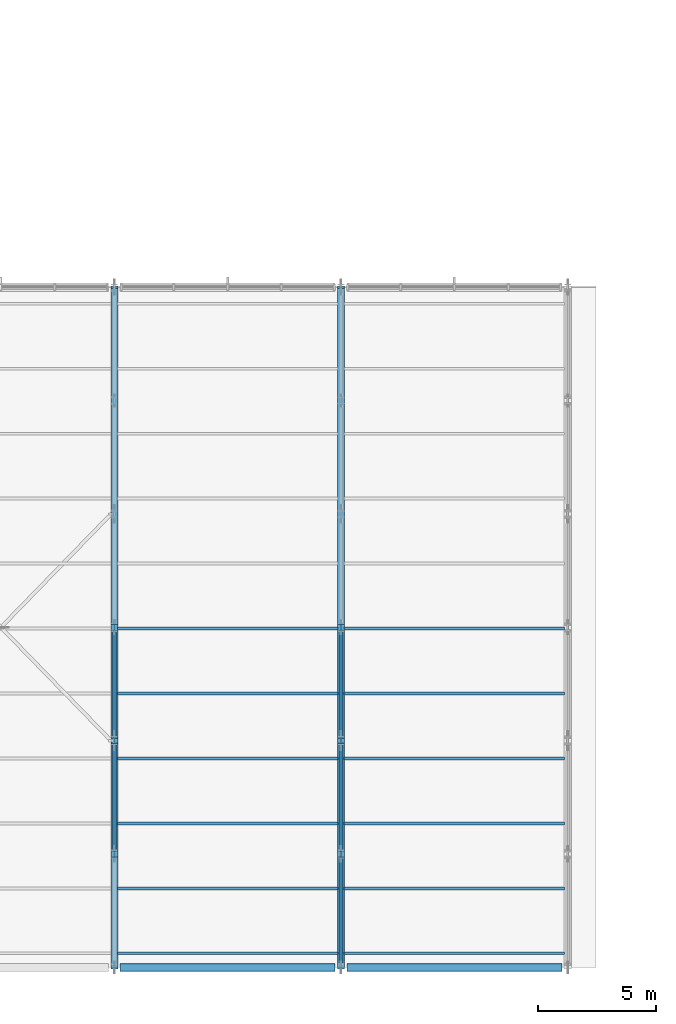
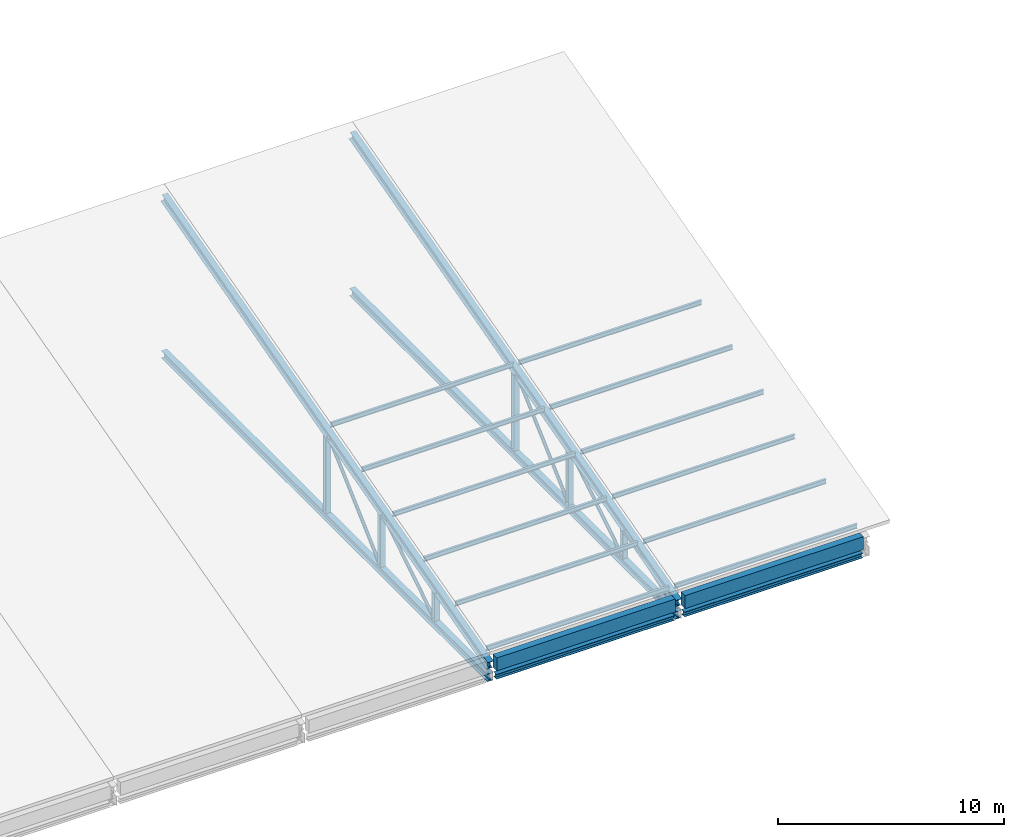
# One storey, part 8 of 57: 25 members, 6 beams.
"""IFC4 building model written with IfcOpenShell, lengths in metres."""

from ifc_helpers import new_model, si_unit, direction, frame, origin, origin_2d, place, context, subcontext, project, spatial, rectangle, hollow_circle, i_section, extrude, material, material_profile, profile_set, type_object, element, save


model = new_model("IFC4")

# Units and contexts
model_context = context("Model", 3, precision=1e-05, world=origin(), true_north=direction((0.0, 1.0)))
body_context = subcontext(model_context, "Body", "Model", "MODEL_VIEW")
ifc_project = project(units=[si_unit("LENGTHUNIT", "METRE"), si_unit("AREAUNIT", "SQUARE_METRE"), si_unit("VOLUMEUNIT", "CUBIC_METRE"), si_unit("PLANEANGLEUNIT", "RADIAN"), si_unit("MASSUNIT", "GRAM", prefix="KILO")], contexts=[model_context])

# Site, building, storey
site_placement = place(None, origin())
site = spatial("IfcSite", under=ifc_project, at=site_placement, CompositionType="ELEMENT")
building_placement = place(site_placement, origin())
building = spatial("IfcBuilding", under=site, at=building_placement, Name="Shalvenor Court Art Gallery", CompositionType="ELEMENT")
storey_placement = place(building_placement, frame((0.0, 0.0, 16.800048828125)))
storey = spatial("IfcBuildingStorey", under=building, at=storey_placement, Name="L03", CompositionType="ELEMENT", Elevation=16.800048828125)

# Members
ifc_material_1 = material(Name="Steel S355", Category="steel")
ifc_material_profile_1 = material_profile(ifc_material_1, i_section(OverallWidth=0.1201171875, OverallDepth=0.239990234375, WebThickness=0.006103515625, FlangeThickness=0.009765625, at=origin_2d()), Name="IPE 240")
ifc_profile_set_1 = profile_set([ifc_material_profile_1], Name="Steel S355")
member_type_1 = type_object("IfcMemberType", Name="PR-02", PredefinedType="PURLIN", material=ifc_profile_set_1)
for number, where, z_axis, x_axis, name in (
    (1, (48.135009765625, 0.60009765625, -0.2138671875), (1.0, 0.0, 0.0), (0.0, 1.0, 0.0), "L03 V4 Roof Purlin 6.1"),
    (2, (48.135009765625, 3.35009765625, 0.531005859375), (1.0, 0.0, 0.0), (0.0, 1.0, 0.0), "L03 V4 Roof Purlin 6.2"),
    (3, (48.135009765625, 6.10009765625, 1.275634765625), (1.0, 0.0, 0.0), (0.0, 1.0, 0.0), "L03 V4 Roof Purlin 6.3"),
    (4, (48.135009765625, 8.85009765625, 2.0205078125), (1.0, 0.0, 0.0), (0.0, 1.0, 0.0), "L03 V4 Roof Purlin 6.4"),
    (5, (48.135009765625, 11.60009765625, 2.765380859375), (1.0, 0.0, 0.0), (0.0, 1.0, 0.0), "L03 V4 Roof Purlin 6.5"),
    (6, (48.135009765625, 14.35009765625, 3.51025390625), (1.0, 0.0, 0.0), (0.0, 1.0, 0.0), "L03 V4 Roof Purlin 6.6"),
):
    element("IfcMember", number, at=place(storey_placement, frame(where, z_axis=z_axis, x_axis=x_axis)), inside=storey, type_object=member_type_1, Name=name, PredefinedType="PURLIN", context=body_context, shape_type="SweptSolid", body=[
        extrude(i_section(OverallWidth=0.1201171875, OverallDepth=0.239990234375, WebThickness=0.006103515625, FlangeThickness=0.009765625, at=origin_2d()), origin(), (0.0, 0.0, 1.0), 9.330078125),
    ])
for number, where, z_axis, x_axis, name in (
    (7, (57.735107421875, 0.60009765625, -0.2138671875), (1.0, 0.0, 0.0), (0.0, 1.0, 0.0), "L03 V4 Roof Purlin 7.1"),
    (8, (57.735107421875, 3.35009765625, 0.531005859375), (1.0, 0.0, 0.0), (0.0, 1.0, 0.0), "L03 V4 Roof Purlin 7.2"),
    (9, (57.735107421875, 6.10009765625, 1.275634765625), (1.0, 0.0, 0.0), (0.0, 1.0, 0.0), "L03 V4 Roof Purlin 7.3"),
    (10, (57.735107421875, 8.85009765625, 2.0205078125), (1.0, 0.0, 0.0), (0.0, 1.0, 0.0), "L03 V4 Roof Purlin 7.4"),
    (11, (57.735107421875, 11.60009765625, 2.765380859375), (1.0, 0.0, 0.0), (0.0, 1.0, 0.0), "L03 V4 Roof Purlin 7.5"),
    (12, (57.735107421875, 14.35009765625, 3.51025390625), (1.0, 0.0, 0.0), (0.0, 1.0, 0.0), "L03 V4 Roof Purlin 7.6"),
):
    element("IfcMember", number, at=place(storey_placement, frame(where, z_axis=z_axis, x_axis=x_axis)), inside=storey, type_object=member_type_1, Name=name, PredefinedType="PURLIN", context=body_context, shape_type="SweptSolid", body=[
        extrude(i_section(OverallWidth=0.1201171875, OverallDepth=0.239990234375, WebThickness=0.006103515625, FlangeThickness=0.009765625, at=origin_2d()), origin(), (0.0, 0.0, 1.0), 9.329833984375),
    ])

# Beams
ifc_material_2 = material(Name="Concrete C40/50", Category="concrete")
ifc_material_profile_2 = material_profile(ifc_material_2, rectangle(XDim=0.35009765625, YDim=0.699951171875, at=origin_2d()), Name="RC 350x700")
ifc_profile_set_2 = profile_set([ifc_material_profile_2], Name="Concrete C40/50")
beam_type_1 = type_object("IfcBeamType", Name="SP-01", PredefinedType="SPANDREL", material=ifc_profile_set_2)
beam_1_placement = place(storey_placement, frame((48.25, 0.0, -0.650146484375), z_axis=(1.0, 0.0, 0.0), x_axis=(0.0, 1.0, 0.0)))
element("IfcBeam", 13, at=beam_1_placement, inside=storey, type_object=beam_type_1, Name="L03 Spandrel Girder BM-L03-SP-01-1045", PredefinedType="SPANDREL", context=body_context, shape_type="SweptSolid", body=[
    extrude(rectangle(XDim=0.35009765625, YDim=0.699951171875, at=origin_2d()), origin(), (0.0, 0.0, 1.0), 9.10009765625),
])
beam_2_placement = place(storey_placement, frame((57.85009765625, 0.0, -0.650146484375), z_axis=(1.0, 0.0, 0.0), x_axis=(0.0, 1.0, 0.0)))
element("IfcBeam", 14, at=beam_2_placement, inside=storey, type_object=beam_type_1, Name="L03 Spandrel Girder BM-L03-SP-01-1046", PredefinedType="SPANDREL", context=body_context, shape_type="SweptSolid", body=[
    extrude(rectangle(XDim=0.35009765625, YDim=0.699951171875, at=origin_2d()), origin(), (0.0, 0.0, 1.0), 9.099853515625),
])
ifc_material_3 = material(Name="Steel S355", Category="steel")
ifc_material_profile_3 = material_profile(ifc_material_3, i_section(OverallWidth=0.300048828125, OverallDepth=0.43994140625, WebThickness=0.011474609375, FlangeThickness=0.02099609375, at=origin_2d()), Name="HEA 450")
ifc_profile_set_3 = profile_set([ifc_material_profile_3], Name="Steel S355")
beam_type_2 = type_object("IfcBeamType", Name="TC-02", PredefinedType="USERDEFINED", material=ifc_profile_set_3)
for number, where, z_axis, x_axis, name in (
    (15, (48.0, 0.0, -0.708251953125), (0.0, 0.965228135416, 0.261408964271), (-1.0, 0.0, 0.0), "TR-V4-06 Roof Truss Continuous Top Chord"),
    (16, (57.60009765625, 0.0, -0.708251953125), (0.0, 0.965228135416, 0.261408964271), (-1.0, 0.0, 0.0), "TR-V4-07 Roof Truss Continuous Top Chord"),
):
    element("IfcBeam", number, at=place(storey_placement, frame(where, z_axis=z_axis, x_axis=x_axis)), inside=storey, type_object=beam_type_2, Name=name, ObjectType="ROOF TRUSS", PredefinedType="USERDEFINED", context=body_context, shape_type="SweptSolid", body=[
        extrude(i_section(OverallWidth=0.300048828125, OverallDepth=0.43994140625, WebThickness=0.011474609375, FlangeThickness=0.02099609375, at=origin_2d()), origin(), (0.0, 0.0, 1.0), 29.837646484375),
    ])
ifc_material_4 = material(Name="Steel S355", Category="steel")
ifc_material_profile_4 = material_profile(ifc_material_4, i_section(OverallWidth=0.300048828125, OverallDepth=0.39990234375, WebThickness=0.013427734375, FlangeThickness=0.02392578125, at=origin_2d()), Name="HEB 400")
ifc_profile_set_4 = profile_set([ifc_material_profile_4], Name="Steel S355")
beam_type_3 = type_object("IfcBeamType", Name="TC-04", PredefinedType="USERDEFINED", material=ifc_profile_set_4)
for number, where, z_axis, x_axis, name in (
    (17, (48.0, 0.0, -1.35009765625), (0.0, 1.0, 0.0), (-1.0, 0.0, 0.0), "TR-V4-06 Roof Truss Continuous Bottom Chord"),
    (18, (57.60009765625, 0.0, -1.35009765625), (0.0, 1.0, 0.0), (-1.0, 0.0, 0.0), "TR-V4-07 Roof Truss Continuous Bottom Chord"),
):
    element("IfcBeam", number, at=place(storey_placement, frame(where, z_axis=z_axis, x_axis=x_axis)), inside=storey, type_object=beam_type_3, Name=name, ObjectType="ROOF TRUSS", PredefinedType="USERDEFINED", context=body_context, shape_type="SweptSolid", body=[
        extrude(i_section(OverallWidth=0.300048828125, OverallDepth=0.39990234375, WebThickness=0.013427734375, FlangeThickness=0.02392578125, at=origin_2d()), origin(), (0.0, 0.0, 1.0), 28.800048828125),
    ])

# Members
ifc_material_5 = material(Name="Steel S355", Category="steel")
ifc_material_profile_5 = material_profile(ifc_material_5, i_section(OverallWidth=0.260009765625, OverallDepth=0.260009765625, WebThickness=0.010009765625, FlangeThickness=0.017578125, at=origin_2d()), Name="HEB 260")
ifc_profile_set_5 = profile_set([ifc_material_profile_5], Name="Steel S355")
member_type_2 = type_object("IfcMemberType", Name="TM-C1", PredefinedType="CHORD", material=ifc_profile_set_5)
member_1_placement = place(storey_placement, frame((48.25, 0.0, -1.35009765625), z_axis=(1.0, 0.0, 0.0), x_axis=(0.0, 1.0, 0.0)))
element("IfcMember", 19, at=member_1_placement, inside=storey, type_object=member_type_2, Name="L03 V4 Eave Truss Chord Tie 6.1", PredefinedType="CHORD", context=body_context, shape_type="SweptSolid", body=[
    extrude(i_section(OverallWidth=0.260009765625, OverallDepth=0.260009765625, WebThickness=0.010009765625, FlangeThickness=0.017578125, at=origin_2d()), origin(), (0.0, 0.0, 1.0), 9.10009765625),
])
member_2_placement = place(storey_placement, frame((57.85009765625, 0.0, -1.35009765625), z_axis=(1.0, 0.0, 0.0), x_axis=(0.0, 1.0, 0.0)))
element("IfcMember", 20, at=member_2_placement, inside=storey, type_object=member_type_2, Name="L03 V4 Eave Truss Chord Tie 7.1", PredefinedType="CHORD", context=body_context, shape_type="SweptSolid", body=[
    extrude(i_section(OverallWidth=0.260009765625, OverallDepth=0.260009765625, WebThickness=0.010009765625, FlangeThickness=0.017578125, at=origin_2d()), origin(), (0.0, 0.0, 1.0), 9.099853515625),
])
ifc_material_6 = material(Name="Steel S355", Category="steel")
ifc_material_profile_6 = material_profile(ifc_material_6, hollow_circle(Radius=0.084228515625, WallThickness=0.008056640625, at=origin_2d()), Name="CHS 168.3x8.0")
ifc_profile_set_6 = profile_set([ifc_material_profile_6], Name="Steel S355")
member_type_3 = type_object("IfcMemberType", Name="TM-D2", PredefinedType="BRACE", material=ifc_profile_set_6)
member_3_placement = place(storey_placement, frame((48.0, 4.93994140625, -1.16015625), z_axis=(0.0, 0.84658238997, 0.532257697918), x_axis=(-1.0, 0.0, 0.0)))
element("IfcMember", 21, at=member_3_placement, inside=storey, type_object=member_type_3, Name="TR-V4-06 Roof Truss Diagonal 2", PredefinedType="BRACE", context=body_context, shape_type="SweptSolid", body=[
    extrude(hollow_circle(Radius=0.084228515625, WallThickness=0.008056640625, at=origin_2d()), origin(), (0.0, 0.0, 1.0), 5.339111328125),
])
member_4_placement = place(storey_placement, frame((48.0, 9.739990234375, -1.16015625), z_axis=(0.0, 0.737276451266, 0.675591174016), x_axis=(-1.0, 0.0, 0.0)))
element("IfcMember", 22, at=member_4_placement, inside=storey, type_object=member_type_3, Name="TR-V4-06 Roof Truss Diagonal 3", PredefinedType="BRACE", context=body_context, shape_type="SweptSolid", body=[
    extrude(hollow_circle(Radius=0.084228515625, WallThickness=0.008056640625, at=origin_2d()), origin(), (0.0, 0.0, 1.0), 6.130615234375),
])
member_5_placement = place(storey_placement, frame((57.60009765625, 0.139892578125, -1.16015625), z_axis=(0.0, 0.946456948747, 0.322830054625), x_axis=(-1.0, 0.0, 0.0)))
element("IfcMember", 23, at=member_5_placement, inside=storey, type_object=member_type_3, Name="TR-V4-07 Roof Truss Diagonal 1", PredefinedType="BRACE", context=body_context, shape_type="SweptSolid", body=[
    extrude(hollow_circle(Radius=0.084228515625, WallThickness=0.008056640625, at=origin_2d()), origin(), (0.0, 0.0, 1.0), 4.775634765625),
])
member_6_placement = place(storey_placement, frame((57.60009765625, 4.93994140625, -1.16015625), z_axis=(0.0, 0.84658238997, 0.532257697918), x_axis=(-1.0, 0.0, 0.0)))
element("IfcMember", 24, at=member_6_placement, inside=storey, type_object=member_type_3, Name="TR-V4-07 Roof Truss Diagonal 2", PredefinedType="BRACE", context=body_context, shape_type="SweptSolid", body=[
    extrude(hollow_circle(Radius=0.084228515625, WallThickness=0.008056640625, at=origin_2d()), origin(), (0.0, 0.0, 1.0), 5.339111328125),
])
member_7_placement = place(storey_placement, frame((57.60009765625, 9.739990234375, -1.16015625), z_axis=(0.0, 0.737276451266, 0.675591174016), x_axis=(-1.0, 0.0, 0.0)))
element("IfcMember", 25, at=member_7_placement, inside=storey, type_object=member_type_3, Name="TR-V4-07 Roof Truss Diagonal 3", PredefinedType="BRACE", context=body_context, shape_type="SweptSolid", body=[
    extrude(hollow_circle(Radius=0.084228515625, WallThickness=0.008056640625, at=origin_2d()), origin(), (0.0, 0.0, 1.0), 6.130615234375),
])
ifc_material_7 = material(Name="Steel S355", Category="steel")
ifc_material_profile_7 = material_profile(ifc_material_7, i_section(OverallWidth=0.260009765625, OverallDepth=0.260009765625, WebThickness=0.010009765625, FlangeThickness=0.017578125, at=origin_2d()), Name="HEB 260")
ifc_profile_set_7 = profile_set([ifc_material_profile_7], Name="Steel S355")
member_type_4 = type_object("IfcMemberType", Name="TM-V1", PredefinedType="STRUT", material=ifc_profile_set_7)
member_8_placement = place(storey_placement, frame((48.0, 4.800048828125, -1.155029296875), z_axis=(0.0, 0.0, 1.0), x_axis=(1.0, 0.0, 0.0)))
element("IfcMember", 26, at=member_8_placement, inside=storey, type_object=member_type_4, Name="TR-V4-06 Roof Truss Vertical 2", PredefinedType="STRUT", context=body_context, shape_type="SweptSolid", body=[
    extrude(i_section(OverallWidth=0.260009765625, OverallDepth=0.260009765625, WebThickness=0.010009765625, FlangeThickness=0.017578125, at=origin_2d()), origin(), (0.0, 0.0, 1.0), 1.53173828125),
])
member_9_placement = place(storey_placement, frame((48.0, 9.60009765625, -1.155029296875), z_axis=(0.0, 0.0, 1.0), x_axis=(1.0, 0.0, 0.0)))
element("IfcMember", 27, at=member_9_placement, inside=storey, type_object=member_type_4, Name="TR-V4-06 Roof Truss Vertical 3", PredefinedType="STRUT", context=body_context, shape_type="SweptSolid", body=[
    extrude(i_section(OverallWidth=0.260009765625, OverallDepth=0.260009765625, WebThickness=0.010009765625, FlangeThickness=0.017578125, at=origin_2d()), origin(), (0.0, 0.0, 1.0), 2.831787109375),
])
member_10_placement = place(storey_placement, frame((48.0, 14.39990234375, -1.155029296875), z_axis=(0.0, 0.0, 1.0), x_axis=(1.0, 0.0, 0.0)))
element("IfcMember", 28, at=member_10_placement, inside=storey, type_object=member_type_4, Name="TR-V4-06 Roof Truss Vertical 4", PredefinedType="STRUT", context=body_context, shape_type="SweptSolid", body=[
    extrude(i_section(OverallWidth=0.260009765625, OverallDepth=0.260009765625, WebThickness=0.010009765625, FlangeThickness=0.017578125, at=origin_2d()), origin(), (0.0, 0.0, 1.0), 4.131591796875),
])
member_11_placement = place(storey_placement, frame((57.60009765625, 4.800048828125, -1.155029296875), z_axis=(0.0, 0.0, 1.0), x_axis=(1.0, 0.0, 0.0)))
element("IfcMember", 29, at=member_11_placement, inside=storey, type_object=member_type_4, Name="TR-V4-07 Roof Truss Vertical 2", PredefinedType="STRUT", context=body_context, shape_type="SweptSolid", body=[
    extrude(i_section(OverallWidth=0.260009765625, OverallDepth=0.260009765625, WebThickness=0.010009765625, FlangeThickness=0.017578125, at=origin_2d()), origin(), (0.0, 0.0, 1.0), 1.53173828125),
])
member_12_placement = place(storey_placement, frame((57.60009765625, 9.60009765625, -1.155029296875), z_axis=(0.0, 0.0, 1.0), x_axis=(1.0, 0.0, 0.0)))
element("IfcMember", 30, at=member_12_placement, inside=storey, type_object=member_type_4, Name="TR-V4-07 Roof Truss Vertical 3", PredefinedType="STRUT", context=body_context, shape_type="SweptSolid", body=[
    extrude(i_section(OverallWidth=0.260009765625, OverallDepth=0.260009765625, WebThickness=0.010009765625, FlangeThickness=0.017578125, at=origin_2d()), origin(), (0.0, 0.0, 1.0), 2.831787109375),
])
member_13_placement = place(storey_placement, frame((57.60009765625, 14.39990234375, -1.155029296875), z_axis=(0.0, 0.0, 1.0), x_axis=(1.0, 0.0, 0.0)))
element("IfcMember", 31, at=member_13_placement, inside=storey, type_object=member_type_4, Name="TR-V4-07 Roof Truss Vertical 4", PredefinedType="STRUT", context=body_context, shape_type="SweptSolid", body=[
    extrude(i_section(OverallWidth=0.260009765625, OverallDepth=0.260009765625, WebThickness=0.010009765625, FlangeThickness=0.017578125, at=origin_2d()), origin(), (0.0, 0.0, 1.0), 4.131591796875),
])

save(model, "model.ifc")
